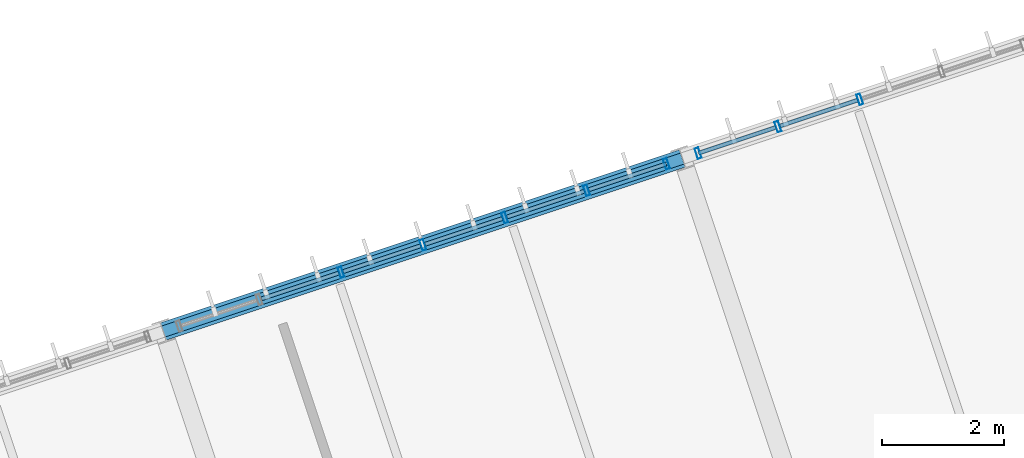
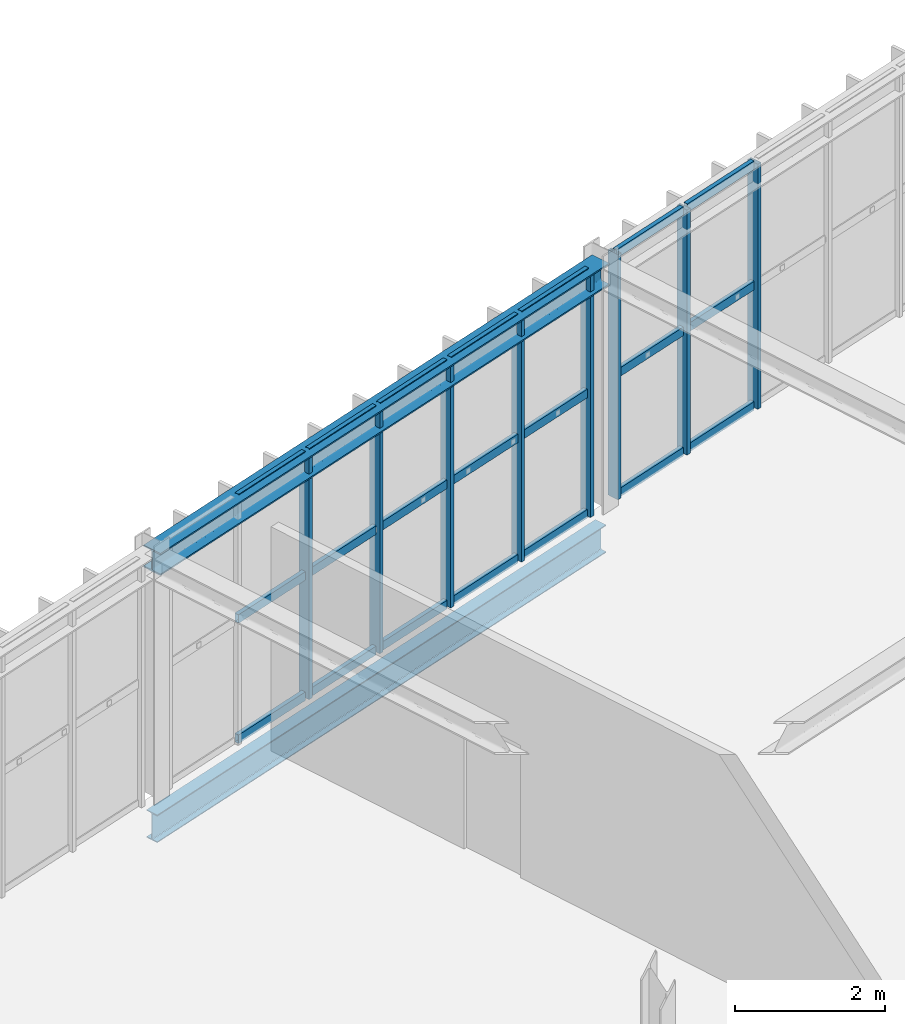
# One storey, part 19 of 61: 29 members, 2 beams, 2 elements without a shape of their own.
"""IFC4 building model written with IfcOpenShell, lengths in metres."""

from ifc_helpers import new_model, si_unit, derived_unit, direction, frame, origin, origin_2d, place, context, subcontext, project, spatial, hollow_rectangle, i_section, extrude, material, material_profile, profile_set, type_object, element, aggregate, save


model = new_model("IFC4")

# Units and contexts
model_context = context("Model", 3, precision=1e-05, world=origin(), true_north=direction((0.0, 1.0)))
body_context = subcontext(model_context, "Body", "Model", "MODEL_VIEW")
ifc_project = project(units=[si_unit("LENGTHUNIT", "METRE"), si_unit("AREAUNIT", "SQUARE_METRE"), si_unit("VOLUMEUNIT", "CUBIC_METRE"), si_unit("PLANEANGLEUNIT", "RADIAN"), si_unit("MASSUNIT", "GRAM", prefix="KILO"), si_unit("THERMODYNAMICTEMPERATUREUNIT", "KELVIN"), si_unit("TIMEUNIT", "SECOND"), derived_unit("THERMALTRANSMITTANCEUNIT", [(si_unit("MASSUNIT", "GRAM", prefix="KILO"), 1), (si_unit("THERMODYNAMICTEMPERATUREUNIT", "KELVIN"), -1), (si_unit("TIMEUNIT", "SECOND"), -3)])], contexts=[model_context])

# Site, building, storey
site_placement = place(None, origin())
site = spatial("IfcSite", under=ifc_project, at=site_placement, CompositionType="ELEMENT")
building_placement = place(site_placement, origin())
building = spatial("IfcBuilding", under=site, at=building_placement, Name="Cambertide Market Hall", CompositionType="ELEMENT")
storey_placement = place(building_placement, frame((0.0, 0.0, 9.89990234375)))
storey = spatial("IfcBuildingStorey", under=building, at=storey_placement, Name="L03", CompositionType="ELEMENT", Elevation=9.89990234375)

# Curtain wall, members
ifc_material_1 = material(Name="Marine Anodized Aluminium 6063-T6 AA25", Category="aluminium")
curtain_wall_type = type_object("IfcCurtainWallType", Name="Tasting Hall Panorama Curtain Wall", PredefinedType="USERDEFINED", material=ifc_material_1)
curtain_wall_1_placement = place(storey_placement, origin())
curtain_wall_1 = element("IfcCurtainWall", 1, at=curtain_wall_1_placement, inside=storey, type_object=curtain_wall_type, Name="Level 3 Curtain Wall CW-V3N-L03-3", ObjectType="UNITIZED CURTAIN WALL", PredefinedType="USERDEFINED")
ifc_material_2 = material(Name="Champagne Marine Anodized Aluminium 6063-T6 AA25", Category="aluminium")
ifc_material_profile_1 = material_profile(ifc_material_2, hollow_rectangle(XDim=0.06494140625, YDim=0.179931640625, WallThickness=0.00390625, at=origin_2d()), Name="ALU MULLION 65x180")
ifc_profile_set_1 = profile_set([ifc_material_profile_1], Name="Champagne Marine Anodized Aluminium 6063-T6 AA25")
member_type_1 = type_object("IfcMemberType", Name="Curtain Wall Mullion ALU MULLION 65x180", PredefinedType="MULLION", material=ifc_profile_set_1)
member_1_placement = place(storey_placement, frame((117.460205078125, 44.280517578125, 0.0), z_axis=(0.0, 0.0, 1.0), x_axis=(0.948683274577, 0.316227836438, 0.0)))
member_1 = element("IfcMember", 2, at=member_1_placement, type_object=member_type_1, Name="CW-V3N-L03-3 Mullion 3", PredefinedType="MULLION", context=body_context, shape_type="SweptSolid", body=[
    extrude(hollow_rectangle(XDim=0.06494140625, YDim=0.179931640625, WallThickness=0.00390625, at=origin_2d()), origin(), (0.0, 0.0, 1.0), 3.97998046875),
])
member_2_placement = place(storey_placement, frame((118.80712890625, 44.7294921875, 0.0), z_axis=(0.0, 0.0, 1.0), x_axis=(0.948683274577, 0.316227836438, 0.0)))
member_2 = element("IfcMember", 3, at=member_2_placement, type_object=member_type_1, Name="CW-V3N-L03-3 Mullion 4", PredefinedType="MULLION", context=body_context, shape_type="SweptSolid", body=[
    extrude(hollow_rectangle(XDim=0.06494140625, YDim=0.179931640625, WallThickness=0.00390625, at=origin_2d()), origin(), (0.0, 0.0, 1.0), 3.97998046875),
])
member_3_placement = place(storey_placement, frame((120.154296875, 45.1787109375, 0.0), z_axis=(0.0, 0.0, 1.0), x_axis=(0.948683274577, 0.316227836438, 0.0)))
member_3 = element("IfcMember", 4, at=member_3_placement, type_object=member_type_1, Name="CW-V3N-L03-3 Mullion 5", PredefinedType="MULLION", context=body_context, shape_type="SweptSolid", body=[
    extrude(hollow_rectangle(XDim=0.06494140625, YDim=0.179931640625, WallThickness=0.00390625, at=origin_2d()), origin(), (0.0, 0.0, 1.0), 3.97998046875),
])
member_4_placement = place(storey_placement, frame((121.50146484375, 45.627685546875, 0.0), z_axis=(0.0, 0.0, 1.0), x_axis=(0.948683274577, 0.316227836438, 0.0)))
member_4 = element("IfcMember", 5, at=member_4_placement, type_object=member_type_1, Name="CW-V3N-L03-3 Mullion 6", PredefinedType="MULLION", context=body_context, shape_type="SweptSolid", body=[
    extrude(hollow_rectangle(XDim=0.06494140625, YDim=0.179931640625, WallThickness=0.00390625, at=origin_2d()), origin(), (0.0, 0.0, 1.0), 3.97998046875),
])
member_5_placement = place(storey_placement, frame((122.8154296875, 46.065673828125, 0.0), z_axis=(0.0, 0.0, 1.0), x_axis=(0.948683274577, 0.316227836438, 0.0)))
member_5 = element("IfcMember", 6, at=member_5_placement, type_object=member_type_1, Name="CW-V3N-L03-3 Mullion 7", PredefinedType="MULLION", context=body_context, shape_type="SweptSolid", body=[
    extrude(hollow_rectangle(XDim=0.06494140625, YDim=0.179931640625, WallThickness=0.00390625, at=origin_2d()), origin(), (0.0, 0.0, 1.0), 3.97998046875),
])

curtain_wall_2_placement = place(storey_placement, origin())
curtain_wall_2 = element("IfcCurtainWall", 7, at=curtain_wall_2_placement, inside=storey, type_object=curtain_wall_type, Name="Level 3 Curtain Wall CW-V3N-L03-4", ObjectType="UNITIZED CURTAIN WALL", PredefinedType="USERDEFINED")
member_6_placement = place(storey_placement, frame((123.337158203125, 46.239501953125, 0.0), z_axis=(0.0, 0.0, 1.0), x_axis=(0.948683286311, 0.316227801236, 0.0)))
member_6 = element("IfcMember", 8, at=member_6_placement, type_object=member_type_1, Name="CW-V3N-L03-4 Mullion 1", PredefinedType="MULLION", context=body_context, shape_type="SweptSolid", body=[
    extrude(hollow_rectangle(XDim=0.06494140625, YDim=0.179931640625, WallThickness=0.00390625, at=origin_2d()), origin(), (0.0, 0.0, 1.0), 3.97998046875),
])
member_7_placement = place(storey_placement, frame((124.651123046875, 46.677490234375, 0.0), z_axis=(0.0, 0.0, 1.0), x_axis=(0.948683286311, 0.316227801236, 0.0)))
member_7 = element("IfcMember", 9, at=member_7_placement, type_object=member_type_1, Name="CW-V3N-L03-4 Mullion 2", PredefinedType="MULLION", context=body_context, shape_type="SweptSolid", body=[
    extrude(hollow_rectangle(XDim=0.06494140625, YDim=0.179931640625, WallThickness=0.00390625, at=origin_2d()), origin(), (0.0, 0.0, 1.0), 3.97998046875),
])
member_8_placement = place(storey_placement, frame((125.998291015625, 47.12646484375, 0.0), z_axis=(0.0, 0.0, 1.0), x_axis=(0.948683286311, 0.316227801236, 0.0)))
member_8 = element("IfcMember", 10, at=member_8_placement, type_object=member_type_1, Name="CW-V3N-L03-4 Mullion 3", PredefinedType="MULLION", context=body_context, shape_type="SweptSolid", body=[
    extrude(hollow_rectangle(XDim=0.06494140625, YDim=0.179931640625, WallThickness=0.00390625, at=origin_2d()), origin(), (0.0, 0.0, 1.0), 3.97998046875),
])

# Member
ifc_material_3 = material(Name="Champagne Marine Anodized Aluminium 6063-T6 AA25", Category="aluminium")
ifc_material_profile_2 = material_profile(ifc_material_3, hollow_rectangle(XDim=0.06494140625, YDim=0.139892578125, WallThickness=0.00341796875, at=origin_2d()), Name="ALU TRANSOM 65x140")
ifc_profile_set_2 = profile_set([ifc_material_profile_2], Name="Champagne Marine Anodized Aluminium 6063-T6 AA25")
member_type_2 = type_object("IfcMemberType", Name="Curtain Wall Transom ALU TRANSOM 65x140", PredefinedType="USERDEFINED", material=ifc_profile_set_2)
member_9_placement = place(storey_placement, frame((116.15087890625, 43.84423828125, 0.03515625), z_axis=(0.948719731918, 0.316118443418, 0.0), x_axis=(-0.316118443418, 0.948719731918, 0.0)))
member_9 = element("IfcMember", 11, at=member_9_placement, type_object=member_type_2, Name="CW-V3N-L03-3 Transom 1-2", ObjectType="TRANSOM", PredefinedType="USERDEFINED", context=body_context, shape_type="SweptSolid", body=[
    extrude(hollow_rectangle(XDim=0.06494140625, YDim=0.139892578125, WallThickness=0.00341796875, at=origin_2d()), origin(), (0.0, 0.0, 1.0), 1.33984375),
])

member_10_placement = place(storey_placement, frame((117.498046875, 44.293212890625, 0.03515625), z_axis=(0.948665077442, 0.316282422593, 0.0), x_axis=(-0.316282422593, 0.948665077442, 0.0)))
member_10 = element("IfcMember", 12, at=member_10_placement, type_object=member_type_2, Name="CW-V3N-L03-3 Transom 1-3", ObjectType="TRANSOM", PredefinedType="USERDEFINED", context=body_context, shape_type="SweptSolid", body=[
    extrude(hollow_rectangle(XDim=0.06494140625, YDim=0.139892578125, WallThickness=0.00341796875, at=origin_2d()), origin(), (0.0, 0.0, 1.0), 1.340087890625),
])

member_11_placement = place(storey_placement, frame((118.84521484375, 44.7421875, 0.03515625), z_axis=(0.948665077442, 0.316282422593, 0.0), x_axis=(-0.316282422593, 0.948665077442, 0.0)))
member_11 = element("IfcMember", 13, at=member_11_placement, type_object=member_type_2, Name="CW-V3N-L03-3 Transom 1-4", ObjectType="TRANSOM", PredefinedType="USERDEFINED", context=body_context, shape_type="SweptSolid", body=[
    extrude(hollow_rectangle(XDim=0.06494140625, YDim=0.139892578125, WallThickness=0.00341796875, at=origin_2d()), origin(), (0.0, 0.0, 1.0), 1.340087890625),
])

member_12_placement = place(storey_placement, frame((120.1923828125, 45.191162109375, 0.03515625), z_axis=(0.948665077442, 0.316282422593, 0.0), x_axis=(-0.316282422593, 0.948665077442, 0.0)))
member_12 = element("IfcMember", 14, at=member_12_placement, type_object=member_type_2, Name="CW-V3N-L03-3 Transom 1-5", ObjectType="TRANSOM", PredefinedType="USERDEFINED", context=body_context, shape_type="SweptSolid", body=[
    extrude(hollow_rectangle(XDim=0.06494140625, YDim=0.139892578125, WallThickness=0.00341796875, at=origin_2d()), origin(), (0.0, 0.0, 1.0), 1.340087890625),
])

member_13_placement = place(storey_placement, frame((121.53955078125, 45.640380859375, 0.03515625), z_axis=(0.948701519708, 0.316173095792, 0.0), x_axis=(-0.316173095792, 0.948701519708, 0.0)))
member_13 = element("IfcMember", 15, at=member_13_placement, type_object=member_type_2, Name="CW-V3N-L03-3 Transom 1-6", ObjectType="TRANSOM", PredefinedType="USERDEFINED", context=body_context, shape_type="SweptSolid", body=[
    extrude(hollow_rectangle(XDim=0.06494140625, YDim=0.139892578125, WallThickness=0.00341796875, at=origin_2d()), origin(), (0.0, 0.0, 1.0), 1.33984375),
])

member_14_placement = place(storey_placement, frame((116.15087890625, 43.84423828125, 1.989990234375), z_axis=(0.948719731918, 0.316118443418, 0.0), x_axis=(-0.316118443418, 0.948719731918, 0.0)))
member_14 = element("IfcMember", 16, at=member_14_placement, type_object=member_type_2, Name="CW-V3N-L03-3 Transom 2-2", ObjectType="TRANSOM", PredefinedType="USERDEFINED", context=body_context, shape_type="SweptSolid", body=[
    extrude(hollow_rectangle(XDim=0.06494140625, YDim=0.139892578125, WallThickness=0.00341796875, at=origin_2d()), origin(), (0.0, 0.0, 1.0), 1.33984375),
])

member_15_placement = place(storey_placement, frame((117.498046875, 44.293212890625, 1.989990234375), z_axis=(0.948665077442, 0.316282422593, 0.0), x_axis=(-0.316282422593, 0.948665077442, 0.0)))
member_15 = element("IfcMember", 17, at=member_15_placement, type_object=member_type_2, Name="CW-V3N-L03-3 Transom 2-3", ObjectType="TRANSOM", PredefinedType="USERDEFINED", context=body_context, shape_type="SweptSolid", body=[
    extrude(hollow_rectangle(XDim=0.06494140625, YDim=0.139892578125, WallThickness=0.00341796875, at=origin_2d()), origin(), (0.0, 0.0, 1.0), 1.340087890625),
])

member_16_placement = place(storey_placement, frame((118.84521484375, 44.7421875, 1.989990234375), z_axis=(0.948665077442, 0.316282422593, 0.0), x_axis=(-0.316282422593, 0.948665077442, 0.0)))
member_16 = element("IfcMember", 18, at=member_16_placement, type_object=member_type_2, Name="CW-V3N-L03-3 Transom 2-4", ObjectType="TRANSOM", PredefinedType="USERDEFINED", context=body_context, shape_type="SweptSolid", body=[
    extrude(hollow_rectangle(XDim=0.06494140625, YDim=0.139892578125, WallThickness=0.00341796875, at=origin_2d()), origin(), (0.0, 0.0, 1.0), 1.340087890625),
])

member_17_placement = place(storey_placement, frame((120.1923828125, 45.191162109375, 1.989990234375), z_axis=(0.948665077442, 0.316282422593, 0.0), x_axis=(-0.316282422593, 0.948665077442, 0.0)))
member_17 = element("IfcMember", 19, at=member_17_placement, type_object=member_type_2, Name="CW-V3N-L03-3 Transom 2-5", ObjectType="TRANSOM", PredefinedType="USERDEFINED", context=body_context, shape_type="SweptSolid", body=[
    extrude(hollow_rectangle(XDim=0.06494140625, YDim=0.139892578125, WallThickness=0.00341796875, at=origin_2d()), origin(), (0.0, 0.0, 1.0), 1.340087890625),
])

member_18_placement = place(storey_placement, frame((121.53955078125, 45.640380859375, 1.989990234375), z_axis=(0.948701519708, 0.316173095792, 0.0), x_axis=(-0.316173095792, 0.948701519708, 0.0)))
member_18 = element("IfcMember", 20, at=member_18_placement, type_object=member_type_2, Name="CW-V3N-L03-3 Transom 2-6", ObjectType="TRANSOM", PredefinedType="USERDEFINED", context=body_context, shape_type="SweptSolid", body=[
    extrude(hollow_rectangle(XDim=0.06494140625, YDim=0.139892578125, WallThickness=0.00341796875, at=origin_2d()), origin(), (0.0, 0.0, 1.0), 1.33984375),
])

member_19_placement = place(storey_placement, frame((116.15087890625, 43.84423828125, 3.945068359375), z_axis=(0.948719731918, 0.316118443418, 0.0), x_axis=(-0.316118443418, 0.948719731918, 0.0)))
member_19 = element("IfcMember", 21, at=member_19_placement, type_object=member_type_2, Name="CW-V3N-L03-3 Transom 3-2", ObjectType="TRANSOM", PredefinedType="USERDEFINED", context=body_context, shape_type="SweptSolid", body=[
    extrude(hollow_rectangle(XDim=0.06494140625, YDim=0.139892578125, WallThickness=0.00341796875, at=origin_2d()), origin(), (0.0, 0.0, 1.0), 1.33984375),
])

member_20_placement = place(storey_placement, frame((117.498046875, 44.293212890625, 3.945068359375), z_axis=(0.948665077442, 0.316282422593, 0.0), x_axis=(-0.316282422593, 0.948665077442, 0.0)))
member_20 = element("IfcMember", 22, at=member_20_placement, type_object=member_type_2, Name="CW-V3N-L03-3 Transom 3-3", ObjectType="TRANSOM", PredefinedType="USERDEFINED", context=body_context, shape_type="SweptSolid", body=[
    extrude(hollow_rectangle(XDim=0.06494140625, YDim=0.139892578125, WallThickness=0.00341796875, at=origin_2d()), origin(), (0.0, 0.0, 1.0), 1.340087890625),
])

member_21_placement = place(storey_placement, frame((118.84521484375, 44.7421875, 3.945068359375), z_axis=(0.948665077442, 0.316282422593, 0.0), x_axis=(-0.316282422593, 0.948665077442, 0.0)))
member_21 = element("IfcMember", 23, at=member_21_placement, type_object=member_type_2, Name="CW-V3N-L03-3 Transom 3-4", ObjectType="TRANSOM", PredefinedType="USERDEFINED", context=body_context, shape_type="SweptSolid", body=[
    extrude(hollow_rectangle(XDim=0.06494140625, YDim=0.139892578125, WallThickness=0.00341796875, at=origin_2d()), origin(), (0.0, 0.0, 1.0), 1.340087890625),
])

member_22_placement = place(storey_placement, frame((120.1923828125, 45.191162109375, 3.945068359375), z_axis=(0.948665077442, 0.316282422593, 0.0), x_axis=(-0.316282422593, 0.948665077442, 0.0)))
member_22 = element("IfcMember", 24, at=member_22_placement, type_object=member_type_2, Name="CW-V3N-L03-3 Transom 3-5", ObjectType="TRANSOM", PredefinedType="USERDEFINED", context=body_context, shape_type="SweptSolid", body=[
    extrude(hollow_rectangle(XDim=0.06494140625, YDim=0.139892578125, WallThickness=0.00341796875, at=origin_2d()), origin(), (0.0, 0.0, 1.0), 1.340087890625),
])

member_23_placement = place(storey_placement, frame((121.53955078125, 45.640380859375, 3.945068359375), z_axis=(0.948701519708, 0.316173095792, 0.0), x_axis=(-0.316173095792, 0.948701519708, 0.0)))
member_23 = element("IfcMember", 25, at=member_23_placement, type_object=member_type_2, Name="CW-V3N-L03-3 Transom 3-6", ObjectType="TRANSOM", PredefinedType="USERDEFINED", context=body_context, shape_type="SweptSolid", body=[
    extrude(hollow_rectangle(XDim=0.06494140625, YDim=0.139892578125, WallThickness=0.00341796875, at=origin_2d()), origin(), (0.0, 0.0, 1.0), 1.33984375),
])

aggregate(curtain_wall_1, [member_1, member_2, member_3, member_4, member_5, member_9, member_10, member_11, member_12, member_13, member_14, member_15, member_16, member_17, member_18, member_19, member_20, member_21, member_22, member_23])

member_24_placement = place(storey_placement, frame((123.342041015625, 46.2412109375, 0.03515625), z_axis=(0.948719731918, 0.316118443418, 0.0), x_axis=(-0.316118443418, 0.948719731918, 0.0)))
member_24 = element("IfcMember", 26, at=member_24_placement, type_object=member_type_2, Name="CW-V3N-L03-4 Transom 1-1", ObjectType="TRANSOM", PredefinedType="USERDEFINED", context=body_context, shape_type="SweptSolid", body=[
    extrude(hollow_rectangle(XDim=0.06494140625, YDim=0.139892578125, WallThickness=0.00341796875, at=origin_2d()), origin(), (0.0, 0.0, 1.0), 1.33984375),
])

member_25_placement = place(storey_placement, frame((124.68896484375, 46.690185546875, 0.03515625), z_axis=(0.948665077442, 0.316282422593, 0.0), x_axis=(-0.316282422593, 0.948665077442, 0.0)))
member_25 = element("IfcMember", 27, at=member_25_placement, type_object=member_type_2, Name="CW-V3N-L03-4 Transom 1-2", ObjectType="TRANSOM", PredefinedType="USERDEFINED", context=body_context, shape_type="SweptSolid", body=[
    extrude(hollow_rectangle(XDim=0.06494140625, YDim=0.139892578125, WallThickness=0.00341796875, at=origin_2d()), origin(), (0.0, 0.0, 1.0), 1.340087890625),
])

member_26_placement = place(storey_placement, frame((123.342041015625, 46.2412109375, 1.989990234375), z_axis=(0.948719731918, 0.316118443418, 0.0), x_axis=(-0.316118443418, 0.948719731918, 0.0)))
member_26 = element("IfcMember", 28, at=member_26_placement, type_object=member_type_2, Name="CW-V3N-L03-4 Transom 2-1", ObjectType="TRANSOM", PredefinedType="USERDEFINED", context=body_context, shape_type="SweptSolid", body=[
    extrude(hollow_rectangle(XDim=0.06494140625, YDim=0.139892578125, WallThickness=0.00341796875, at=origin_2d()), origin(), (0.0, 0.0, 1.0), 1.33984375),
])

member_27_placement = place(storey_placement, frame((124.68896484375, 46.690185546875, 1.989990234375), z_axis=(0.948665077442, 0.316282422593, 0.0), x_axis=(-0.316282422593, 0.948665077442, 0.0)))
member_27 = element("IfcMember", 29, at=member_27_placement, type_object=member_type_2, Name="CW-V3N-L03-4 Transom 2-2", ObjectType="TRANSOM", PredefinedType="USERDEFINED", context=body_context, shape_type="SweptSolid", body=[
    extrude(hollow_rectangle(XDim=0.06494140625, YDim=0.139892578125, WallThickness=0.00341796875, at=origin_2d()), origin(), (0.0, 0.0, 1.0), 1.340087890625),
])

member_28_placement = place(storey_placement, frame((123.342041015625, 46.2412109375, 3.945068359375), z_axis=(0.948719731918, 0.316118443418, 0.0), x_axis=(-0.316118443418, 0.948719731918, 0.0)))
member_28 = element("IfcMember", 30, at=member_28_placement, type_object=member_type_2, Name="CW-V3N-L03-4 Transom 3-1", ObjectType="TRANSOM", PredefinedType="USERDEFINED", context=body_context, shape_type="SweptSolid", body=[
    extrude(hollow_rectangle(XDim=0.06494140625, YDim=0.139892578125, WallThickness=0.00341796875, at=origin_2d()), origin(), (0.0, 0.0, 1.0), 1.33984375),
])

member_29_placement = place(storey_placement, frame((124.68896484375, 46.690185546875, 3.945068359375), z_axis=(0.948665077442, 0.316282422593, 0.0), x_axis=(-0.316282422593, 0.948665077442, 0.0)))
member_29 = element("IfcMember", 31, at=member_29_placement, type_object=member_type_2, Name="CW-V3N-L03-4 Transom 3-2", ObjectType="TRANSOM", PredefinedType="USERDEFINED", context=body_context, shape_type="SweptSolid", body=[
    extrude(hollow_rectangle(XDim=0.06494140625, YDim=0.139892578125, WallThickness=0.00341796875, at=origin_2d()), origin(), (0.0, 0.0, 1.0), 1.340087890625),
])

aggregate(curtain_wall_2, [member_6, member_7, member_8, member_24, member_25, member_26, member_27, member_28, member_29])

# Beams
ifc_material_4 = material(Name="Steel S355", Category="steel")
ifc_material_profile_3 = material_profile(ifc_material_4, i_section(OverallWidth=0.300048828125, OverallDepth=0.360107421875, WebThickness=0.012451171875, FlangeThickness=0.0224609375, FilletRadius=0.027099609375, at=origin_2d()), Name="HEB 360")
ifc_profile_set_3 = profile_set([ifc_material_profile_3], Name="Steel S355")
beam_type_1 = type_object("IfcBeamType", Name="Exterior Steel Girder HEB 360", PredefinedType="BEAM", material=ifc_profile_set_3)
beam_1_placement = place(storey_placement, frame((114.5380859375, 43.306640625, 3.820068359375), z_axis=(0.948688723175, 0.316211490179, 0.0), x_axis=(-0.316211490179, 0.948688723175, 0.0)))
element("IfcBeam", 32, at=beam_1_placement, inside=storey, type_object=beam_type_1, Name="Level 3 Beam BM-V3U-RF-3-4", PredefinedType="BEAM", context=body_context, shape_type="SweptSolid", body=[
    extrude(i_section(OverallWidth=0.300048828125, OverallDepth=0.360107421875, WebThickness=0.012451171875, FlangeThickness=0.0224609375, FilletRadius=0.027099609375, at=origin_2d()), origin(), (0.0, 0.0, 1.0), 9.000244140625),
])
ifc_material_5 = material(Name="Steel S355", Category="steel")
ifc_material_profile_4 = material_profile(ifc_material_5, i_section(OverallWidth=0.18994140625, OverallDepth=0.449951171875, WebThickness=0.009521484375, FlangeThickness=0.0146484375, FilletRadius=0.02099609375, at=origin_2d()), Name="IPE 450")
ifc_profile_set_4 = profile_set([ifc_material_profile_4], Name="Steel S355")
beam_type_2 = type_object("IfcBeamType", Name="Perimeter Spandrel Beam IPE 450", PredefinedType="SPANDREL", material=ifc_profile_set_4)
beam_2_placement = place(storey_placement, frame((114.5380859375, 43.306640625, -0.5), z_axis=(0.948688723175, 0.316211490179, 0.0), x_axis=(-0.316211490179, 0.948688723175, 0.0)))
element("IfcBeam", 33, at=beam_2_placement, inside=storey, type_object=beam_type_2, Name="Level 3 Spandrel BM-V3U-L03-3-4", PredefinedType="SPANDREL", context=body_context, shape_type="SweptSolid", body=[
    extrude(i_section(OverallWidth=0.18994140625, OverallDepth=0.449951171875, WebThickness=0.009521484375, FlangeThickness=0.0146484375, FilletRadius=0.02099609375, at=origin_2d()), origin(), (0.0, 0.0, 1.0), 9.000244140625),
])

save(model, "model.ifc")
